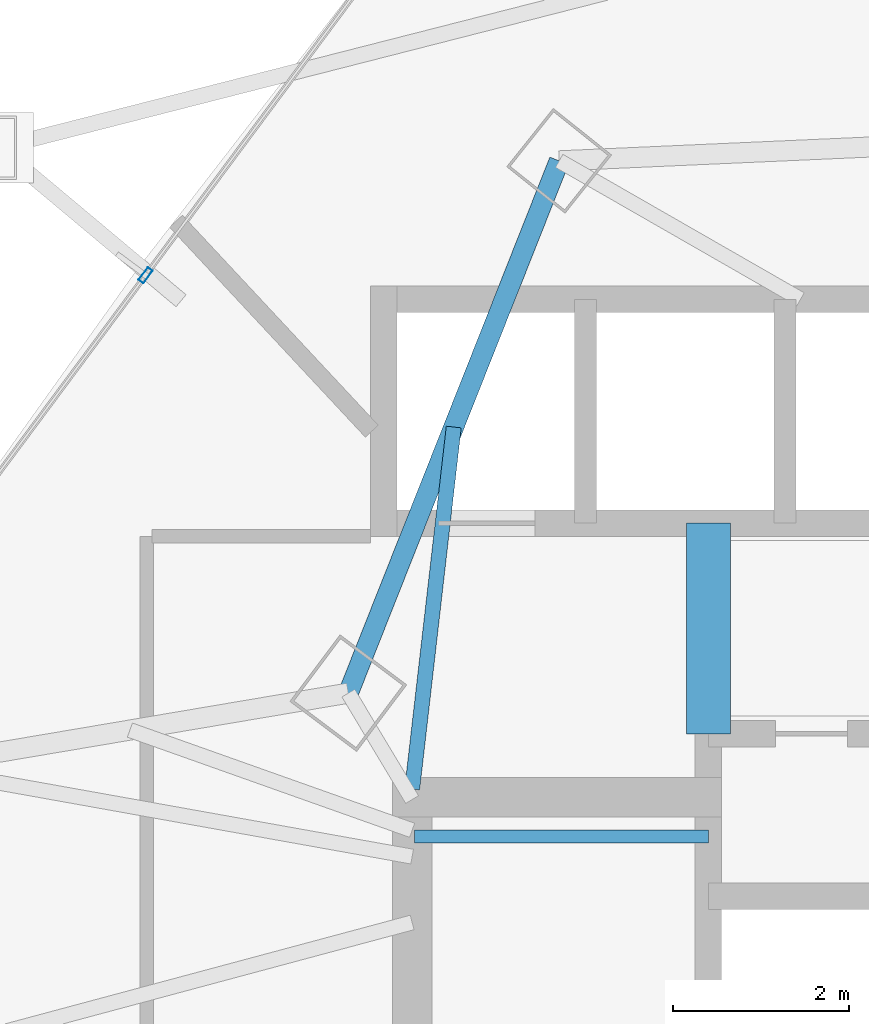
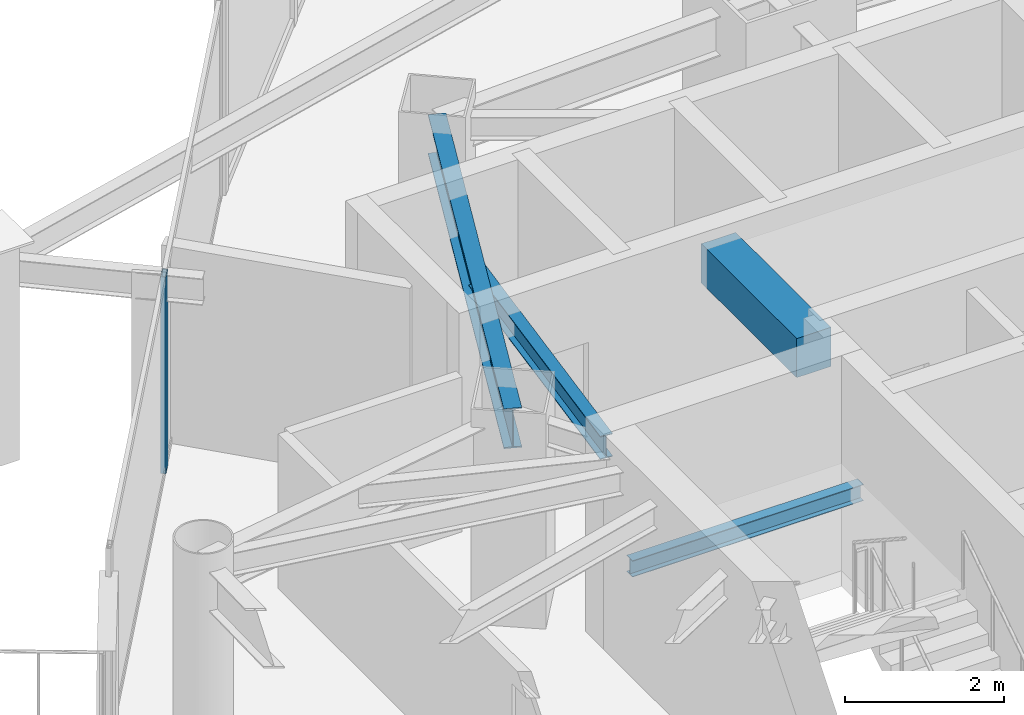
# One storey, part 19 of 33: 4 beams, 1 member, 1 element without a shape of its own.
"""IFC4 building model written with IfcOpenShell, lengths in metres."""

from ifc_helpers import new_model, si_unit, direction, frame, origin, origin_2d, place, context, subcontext, project, spatial, rectangle, hollow_rectangle, i_section, extrude, material, layer, layer_set, material_profile, profile_set, type_object, element, aggregate, save


model = new_model("IFC4")

# Units and contexts
model_context = context("Model", 3, precision=1e-05, world=origin(), true_north=direction((0.0, 1.0)))
body_context = subcontext(model_context, "Body", "Model", "MODEL_VIEW")
ifc_project = project(units=[si_unit("LENGTHUNIT", "METRE"), si_unit("AREAUNIT", "SQUARE_METRE"), si_unit("VOLUMEUNIT", "CUBIC_METRE"), si_unit("PLANEANGLEUNIT", "RADIAN"), si_unit("MASSUNIT", "GRAM", prefix="KILO")], contexts=[model_context])

# Site, building, storey
site_placement = place(None, origin())
site = spatial("IfcSite", under=ifc_project, at=site_placement, CompositionType="ELEMENT")
building_placement = place(site_placement, origin())
building = spatial("IfcBuilding", under=site, at=building_placement, Name="Orvanel Arch Residences", CompositionType="ELEMENT")
storey_placement = place(building_placement, frame((0.0, 0.0, 93.949951171875)))
storey = spatial("IfcBuildingStorey", under=building, at=storey_placement, Name="L26", CompositionType="ELEMENT", Elevation=93.949951171875)

# Beams
ifc_material_1 = material(Name="Structural steel AS/NZS 3679.1 Grade 300 (300 MPa)", Category="steel")
ifc_material_profile_1 = material_profile(ifc_material_1, i_section(OverallWidth=0.14599609375, OverallDepth=0.251953125, WebThickness=0.006103515625, FlangeThickness=0.008544921875, at=origin_2d()), Name="250UB31.4")
ifc_profile_set_1 = profile_set([ifc_material_profile_1], Name="Structural steel AS/NZS 3679.1 Grade 300 (300 MPa)")
beam_type_1 = type_object("IfcBeamType", Name="BJ-250UB", PredefinedType="JOIST", material=ifc_profile_set_1)
beam_1_placement = place(storey_placement, frame((26.39990234375, 33.47998046875, 1.323974609375), z_axis=(1.0, 0.0, 0.0), x_axis=(0.0, 1.0, 0.0)))
element("IfcBeam", 1, at=beam_1_placement, inside=storey, type_object=beam_type_1, Name="L26 ST-1 Half-Landing Support Beam 1.2", PredefinedType="JOIST", context=body_context, shape_type="SweptSolid", body=[
    extrude(i_section(OverallWidth=0.14599609375, OverallDepth=0.251953125, WebThickness=0.006103515625, FlangeThickness=0.008544921875, at=origin_2d()), origin(), (0.0, 0.0, 1.0), 3.35009765625),
])
ifc_material_profile_2 = material_profile(ifc_material_1, i_section(OverallWidth=0.1708984375, OverallDepth=0.35595703125, WebThickness=0.00732421875, FlangeThickness=0.011474609375, at=origin_2d()), Name="360UB50.7")
ifc_profile_set_2 = profile_set([ifc_material_profile_2], Name="Structural steel AS/NZS 3679.1 Grade 300 (300 MPa)")
beam_type_2 = type_object("IfcBeamType", Name="BJ-360UB", PredefinedType="JOIST", material=ifc_profile_set_2)
beam_2_placement = place(storey_placement, frame((26.375, 34.02001953125, 2.842041015625), z_axis=(0.114186670431, 0.993459311847, 0.0), x_axis=(-0.993459311847, 0.114186670431, 0.0)))
element("IfcBeam", 2, at=beam_2_placement, inside=storey, type_object=beam_type_2, Name="L26 NNW2 Wing Floor Joist", PredefinedType="JOIST", context=body_context, shape_type="SweptSolid", body=[
    extrude(i_section(OverallWidth=0.1708984375, OverallDepth=0.35595703125, WebThickness=0.00732421875, FlangeThickness=0.011474609375, at=origin_2d()), origin(), (0.0, 0.0, 1.0), 4.152099609375),
])
ifc_material_2 = material(Name="Concrete S65 (65 MPa)", Category="concrete")
ifc_material_profile_3 = material_profile(ifc_material_2, rectangle(XDim=0.5, YDim=0.60009765625, at=origin_2d()), Name="RC500x600")
ifc_profile_set_3 = profile_set([ifc_material_profile_3], Name="Concrete S65 (65 MPa)")
beam_type_3 = type_object("IfcBeamType", Name="CB-500x600", PredefinedType="LINTEL", material=ifc_profile_set_3)
beam_3_placement = place(storey_placement, frame((29.75, 34.64990234375, 2.719970703125), z_axis=(0.0, 1.0, 0.0), x_axis=(-1.0, 0.0, 0.0)))
element("IfcBeam", 3, at=beam_3_placement, inside=storey, type_object=beam_type_3, Name="L26 West Core Lobby Coupling Lintel Beam", PredefinedType="LINTEL", context=body_context, shape_type="SweptSolid", body=[
    extrude(rectangle(XDim=0.5, YDim=0.60009765625, at=origin_2d()), origin(), (0.0, 0.0, 1.0), 2.400146484375),
])

# Curtain wall, member
ifc_material_3 = material(Name="Bronze-anodised aluminium AA6063-T6", Category="aluminium")
ifc_layer = layer(ifc_material_3, 0.179931640625)
ifc_layer_set = layer_set([ifc_layer], Name="Bronze-anodised aluminium AA6063-T6")
curtain_wall_type = type_object("IfcCurtainWallType", Name="CW2-LOW-SYS", PredefinedType="NOTDEFINED", material=ifc_layer_set)
curtain_wall_placement = place(storey_placement, origin())
curtain_wall = element("IfcCurtainWall", 4, at=curtain_wall_placement, inside=storey, type_object=curtain_wall_type, Name="L26 CW2-LOW-SYS Unitised Curtain Wall", PredefinedType="NOTDEFINED")
ifc_material_profile_4 = material_profile(ifc_material_3, hollow_rectangle(XDim=0.070068359375, YDim=0.179931640625, WallThickness=0.00439453125, at=origin_2d()), Name="ALU180x70x4.5")
ifc_profile_set_4 = profile_set([ifc_material_profile_4], Name="Bronze-anodised aluminium AA6063-T6")
member_type = type_object("IfcMemberType", Name="MUL-180x70", PredefinedType="MULLION", material=ifc_profile_set_4)
member_placement = place(storey_placement, frame((23.33740234375, 39.87353515625, 0.0), z_axis=(0.0, 0.0, 1.0), x_axis=(0.802592798057, -0.596527283959, 0.0)))
member = element("IfcMember", 5, at=member_placement, type_object=member_type, Name="CW-S2 mullion 2", PredefinedType="MULLION", context=body_context, shape_type="SweptSolid", body=[
    extrude(hollow_rectangle(XDim=0.070068359375, YDim=0.179931640625, WallThickness=0.00439453125, at=origin_2d()), origin(), (0.0, 0.0, 1.0), 3.02001953125),
])
aggregate(curtain_wall, [member])

# Beam
ifc_material_profile_5 = material_profile(ifc_material_1, i_section(OverallWidth=0.22900390625, OverallDepth=0.612060546875, WebThickness=0.011962890625, FlangeThickness=0.01953125, at=origin_2d()), Name="610UB125")
ifc_profile_set_5 = profile_set([ifc_material_profile_5], Name="Structural steel AS/NZS 3679.1 Grade 300 (300 MPa)")
beam_type_4 = type_object("IfcBeamType", Name="SP-610UB", PredefinedType="SPANDREL", material=ifc_profile_set_5)
beam_4_placement = place(storey_placement, frame((28.050048828125, 41.177978515625, 2.714111328125), z_axis=(-0.368233143579, -0.929733484376, 0.0), x_axis=(0.929733484376, -0.368233143579, 0.0)))
element("IfcBeam", 6, at=beam_4_placement, inside=storey, type_object=beam_type_4, Name="L26 Perimeter Spandrel Beam 18", PredefinedType="SPANDREL", context=body_context, shape_type="SweptSolid", body=[
    extrude(i_section(OverallWidth=0.22900390625, OverallDepth=0.612060546875, WebThickness=0.011962890625, FlangeThickness=0.01953125, at=origin_2d()), origin(), (0.0, 0.0, 1.0), 6.523193359375),
])

save(model, "model.ifc")
